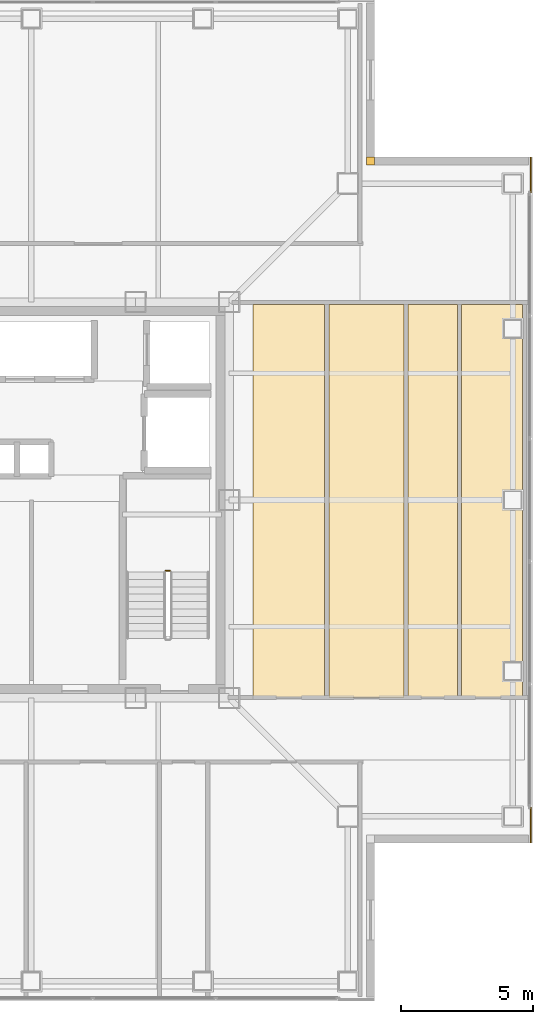
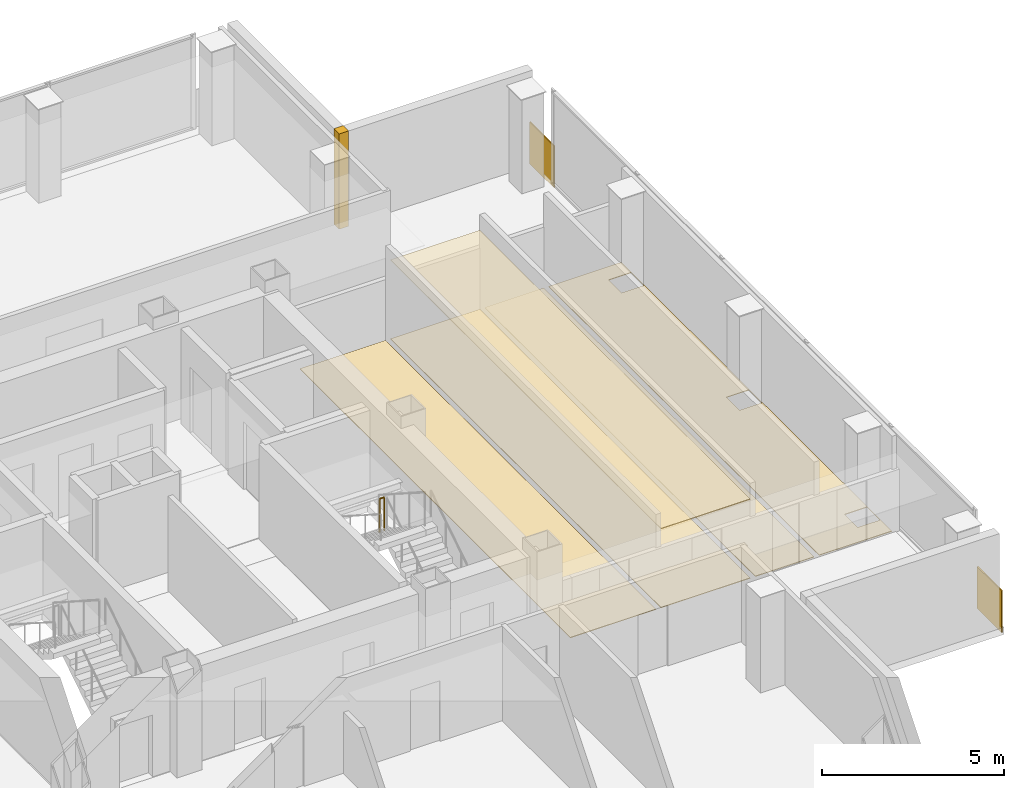
# One storey, part 15 of 16: 8 coverings, 1 railing.
"""IFC4 building model written with IfcOpenShell, lengths in metres."""

from ifc_helpers import new_model, si_unit, direction, frame, frame_2d, origin, origin_2d, place, context, subcontext, project, spatial, polyline, rectangle, circle, outline, extrude, material, layer, layer_set, type_object, element, save


model = new_model("IFC4")

# Units and contexts
model_context = context("Model", 3, precision=1e-05, world=origin(), true_north=direction((0.0, 1.0)))
body_context = subcontext(model_context, "Body", "Model", "MODEL_VIEW")
ifc_project = project(units=[si_unit("LENGTHUNIT", "METRE"), si_unit("AREAUNIT", "SQUARE_METRE"), si_unit("VOLUMEUNIT", "CUBIC_METRE"), si_unit("PLANEANGLEUNIT", "RADIAN"), si_unit("MASSUNIT", "GRAM", prefix="KILO")], contexts=[model_context])

# Site, building, storey
site_placement = place(None, origin())
site = spatial("IfcSite", under=ifc_project, at=site_placement, CompositionType="ELEMENT")
building_placement = place(site_placement, origin())
building = spatial("IfcBuilding", under=site, at=building_placement, Name="Trevonay Congress Spire", CompositionType="ELEMENT")
storey_placement = place(building_placement, frame((0.0, 0.0, 297.199951171875)))
storey = spatial("IfcBuildingStorey", under=building, at=storey_placement, Name="L78", CompositionType="ELEMENT", Elevation=297.199951171875)

# Coverings
ifc_material_1 = material(Name="Acoustic Mineral Fibre Board", Category="gypsum")
ifc_layer_1 = layer(ifc_material_1, 0.02490234375, Name="Acoustic Mineral Fibre Board")
ifc_layer_set_1 = layer_set([ifc_layer_1], Name="Acoustic Mineral Fibre Board")
covering_type_1 = type_object("IfcCoveringType", Name="COV-CEIL-ACOUSTIC", PredefinedType="CEILING", material=ifc_layer_set_1)
covering_1_placement = place(storey_placement, frame((0.0, 0.0, 2.650146484375)))
element("IfcCovering", 1, at=covering_1_placement, inside=storey, type_object=covering_type_1, Name="L78 Butler Servery Kitchen acoustic suspended ceiling", PredefinedType="CEILING", context=body_context, shape_type="SweptSolid", body=[
    extrude(outline(polyline([(11.280029296875, -7.47998046875), (14.1201171875, -7.47998046875), (14.1201171875, 7.419921875), (11.280029296875, 7.419921875), (11.280029296875, -7.47998046875)])), origin(), (0.0, 0.0, 1.0), 0.02490234375),
])
ifc_material_2 = material(Name="Polished Granite Floor Tile", Category="masonry")
ifc_layer_2 = layer(ifc_material_2, 0.02001953125, Name="Polished Granite Floor Tile")
ifc_layer_set_2 = layer_set([ifc_layer_2], Name="Polished Granite Floor Tile")
covering_type_2 = type_object("IfcCoveringType", Name="COV-FLOOR-STONE", PredefinedType="FLOORING", material=ifc_layer_set_2)
covering_2_placement = place(storey_placement, origin())
element("IfcCovering", 2, at=covering_2_placement, inside=storey, type_object=covering_type_2, Name="L78 Banquet Glassware Linen Store floor finish", PredefinedType="FLOORING", context=body_context, shape_type="SweptSolid", body=[
    extrude(outline(polyline([(8.39990234375, -7.47998046875), (11.1201171875, -7.47998046875), (11.1201171875, 7.419921875), (8.39990234375, 7.419921875), (8.39990234375, -7.47998046875)])), origin(), (0.0, 0.0, 1.0), 0.02001953125),
])
covering_3_placement = place(storey_placement, origin())
element("IfcCovering", 3, at=covering_3_placement, inside=storey, type_object=covering_type_2, Name="L78 Butler Servery Kitchen floor finish", PredefinedType="FLOORING", context=body_context, shape_type="SweptSolid", body=[
    extrude(outline(polyline([(11.280029296875, -7.47998046875), (14.1201171875, -7.47998046875), (14.1201171875, 7.419921875), (11.280029296875, 7.419921875), (11.280029296875, -7.47998046875)])), origin(), (0.0, 0.0, 1.0), 0.02001953125),
])
covering_4_placement = place(storey_placement, origin())
element("IfcCovering", 4, at=covering_4_placement, inside=storey, type_object=covering_type_2, Name="L78 Female Restroom WC floor finish", PredefinedType="FLOORING", context=body_context, shape_type="SweptSolid", body=[
    extrude(outline(polyline([(14.280029296875, -7.47998046875), (16.14990234375, -7.47998046875), (16.14990234375, 7.419921875), (14.280029296875, 7.419921875), (14.280029296875, -7.47998046875)])), origin(), (0.0, 0.0, 1.0), 0.02001953125),
])
covering_5_placement = place(storey_placement, origin())
element("IfcCovering", 5, at=covering_5_placement, inside=storey, type_object=covering_type_2, Name="L78 Floor Supplies and Copy Room floor finish", PredefinedType="FLOORING", context=body_context, shape_type="SweptSolid", body=[
    extrude(outline(polyline([(16.31005859375, 7.419921875), (18.6201171875, 7.419921875), (18.6201171875, -7.47998046875), (16.31005859375, -7.47998046875), (16.31005859375, 7.419921875)]), holes=[polyline([(17.889892578125, -6.860107421875), (18.610107421875, -6.860107421875), (18.610107421875, -6.139892578125), (17.889892578125, -6.139892578125), (17.889892578125, -6.860107421875)]), polyline([(17.889892578125, 0.360107421875), (17.889892578125, -0.360107421875), (18.610107421875, -0.360107421875), (18.610107421875, 0.360107421875), (17.889892578125, 0.360107421875)]), polyline([(17.889892578125, 6.860107421875), (17.889892578125, 6.139892578125), (18.610107421875, 6.139892578125), (18.610107421875, 6.860107421875), (17.889892578125, 6.860107421875)])]), origin(), (0.0, 0.0, 1.0), 0.02001953125),
])
ifc_material_3 = material(Name="Pale Anodised Aluminium EN AW-6063-T6", Category="aluminium")
ifc_layer_3 = layer(ifc_material_3, 0.0400390625, Name="Pale Anodised Aluminium EN AW-6063-T6")
ifc_layer_set_3 = layer_set([ifc_layer_3], Name="Pale Anodised Aluminium EN AW-6063-T6")
covering_type_3 = type_object("IfcCoveringType", Name="COV-SPANDREL-PALE-METAL", PredefinedType="CLADDING", material=ifc_layer_set_3)
covering_6_placement = place(storey_placement, frame((18.93994140625, -11.64990234375, -0.14990234375), z_axis=(0.0, 0.0, 1.0), x_axis=(0.0, -1.0, 0.0)))
element("IfcCovering", 6, at=covering_6_placement, inside=storey, type_object=covering_type_3, Name="L78 SE corner pier spandrel cladding 1", PredefinedType="CLADDING", context=body_context, shape_type="SweptSolid", body=[
    extrude(rectangle(XDim=1.35009765625, YDim=0.0400390625, at=frame_2d((0.675048828125, 0.0))), origin(), (0.0, 0.0, 1.0), 1.39990234375),
])
covering_7_placement = place(storey_placement, origin())
element("IfcCovering", 7, at=covering_7_placement, inside=storey, type_object=covering_type_3, Name="L78 NE re-entrant notch corner closure trim", PredefinedType="CLADDING", context=body_context, shape_type="SweptSolid", body=[
    extrude(outline(polyline([(12.699951171875, 12.699951171875), (13.0, 12.699951171875), (13.0, 13.0), (12.699951171875, 13.0), (12.699951171875, 12.699951171875)])), origin(), (0.0, 0.0, 1.0), 3.199951171875),
])
covering_8_placement = place(storey_placement, frame((18.93994140625, 11.64990234375, -0.14990234375), z_axis=(0.0, 0.0, 1.0), x_axis=(0.0, 1.0, 0.0)))
element("IfcCovering", 8, at=covering_8_placement, inside=storey, type_object=covering_type_3, Name="L78 NE corner pier spandrel cladding 1", PredefinedType="CLADDING", context=body_context, shape_type="SweptSolid", body=[
    extrude(rectangle(XDim=1.35009765625, YDim=0.0400390625, at=frame_2d((0.675048828125, 0.0))), origin(), (0.0, 0.0, 1.0), 1.39990234375),
])

# Railing
railing_type = type_object("IfcRailingType", Name="RAL-STAIR-GUARD-110", PredefinedType="GUARDRAIL", material=ifc_material_3)
railing_placement = place(storey_placement, frame((5.25, -2.679931640625, 1.800048828125)))
element("IfcRailing", 9, at=railing_placement, inside=storey, type_object=railing_type, Name="L78 ST-2 stair guard 2", PredefinedType="GUARDRAIL", context=body_context, shape_type="SweptSolid", body=[
    extrude(circle(Radius=0.02392578125, at=origin_2d()), frame((0.0, 0.0, 1.1259765625), z_axis=(-1.0, 0.0, 0.0), x_axis=(0.0, -1.0, 0.0)), (0.0, 0.0, 1.0), 0.14990234375),
    extrude(circle(Radius=0.02099609375, at=origin_2d()), origin(), (0.0, 0.0, 1.0), 1.101806640625),
    extrude(circle(Radius=0.02099609375, at=origin_2d()), frame((-0.14990234375, 0.0, 0.0)), (0.0, 0.0, 1.0), 1.101806640625),
])

save(model, "model.ifc")
